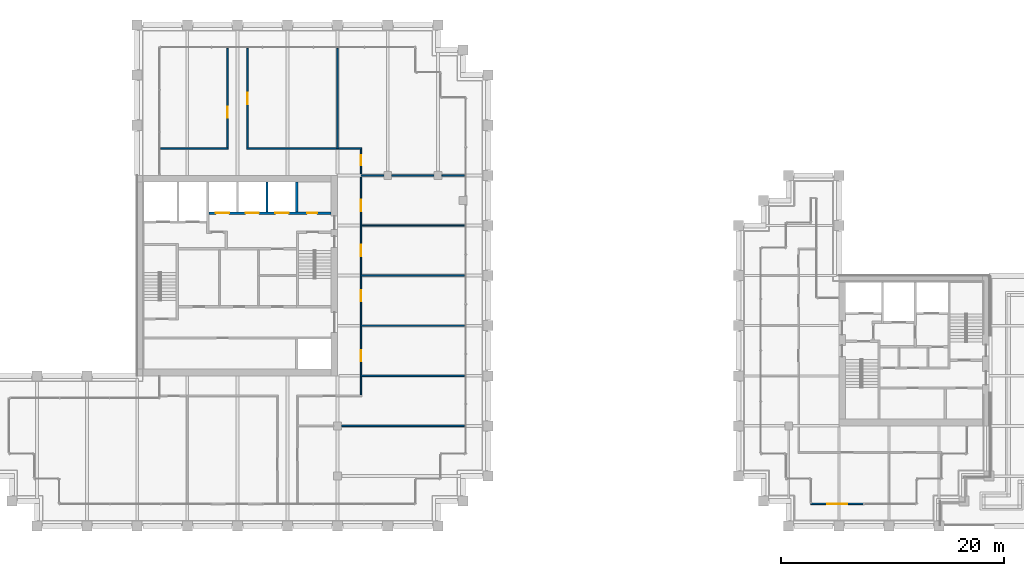
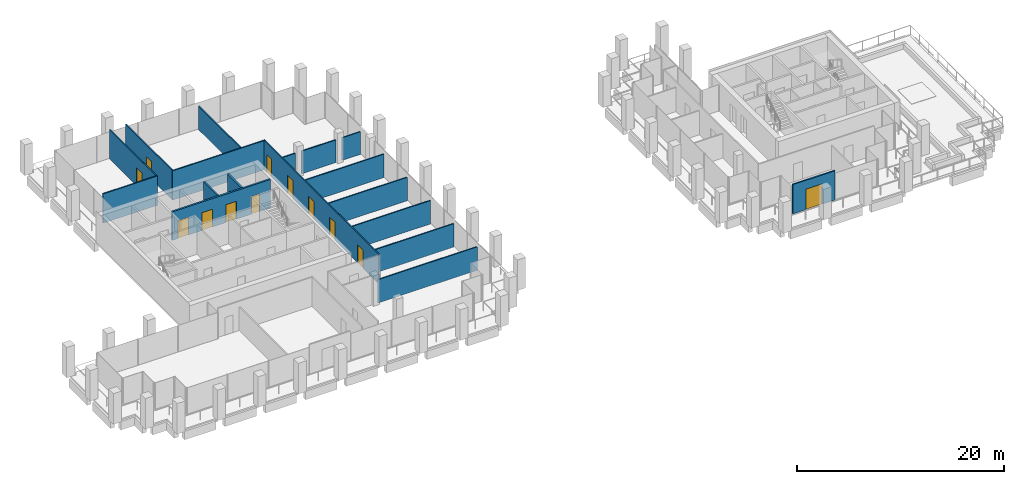
# One storey, part 39 of 44: 18 walls, 12 doors, 12 openings.
"""IFC4 building model written with IfcOpenShell, lengths in metres."""

from ifc_helpers import new_model, si_unit, direction, frame, frame_2d, origin, place, context, subcontext, project, spatial, rectangle, extrude, material, layer, layer_set, type_object, element, fill, save


model = new_model("IFC4")

# Units and contexts
model_context = context("Model", 3, precision=1e-05, world=origin(), true_north=direction((0.0, 1.0)))
body_context = subcontext(model_context, "Body", "Model", "MODEL_VIEW")
ifc_project = project(units=[si_unit("LENGTHUNIT", "METRE"), si_unit("AREAUNIT", "SQUARE_METRE"), si_unit("VOLUMEUNIT", "CUBIC_METRE"), si_unit("PLANEANGLEUNIT", "RADIAN"), si_unit("MASSUNIT", "GRAM", prefix="KILO")], contexts=[model_context])

# Site, building, storey
site_placement = place(None, origin())
site = spatial("IfcSite", under=ifc_project, at=site_placement, CompositionType="ELEMENT")
building_placement = place(site_placement, origin())
building = spatial("IfcBuilding", under=site, at=building_placement, Name="Altepetl Exchange Towers", CompositionType="ELEMENT")
storey_placement = place(building_placement, frame((0.0, 0.0, 143.800048828125)))
storey = spatial("IfcBuildingStorey", under=building, at=storey_placement, Name="L35", CompositionType="ELEMENT", Elevation=143.800048828125)

# Wall, opening, door
ifc_material_1 = material(Name="Aluminium composite cladding", Category="aluminium")
ifc_layer_1 = layer(ifc_material_1, 0.14990234375)
ifc_layer_set_1 = layer_set([ifc_layer_1], Name="Aluminium composite cladding")
wall_type_1 = type_object("IfcWallType", Name="Infill wall 150 aluminium panel", PredefinedType="SOLIDWALL", material=ifc_layer_set_1)
wall_1_placement = place(storey_placement, frame((101.0, 29.0, 0.0)))
wall_1 = element("IfcWall", 1, at=wall_1_placement, inside=storey, type_object=wall_type_1, Name="Loggia door bay wall", PredefinedType="SOLIDWALL", context=body_context, shape_type="SweptSolid", body=[
    extrude(rectangle(XDim=4.71240234375, YDim=0.14990234375, at=frame_2d((2.356201171875, 0.0))), origin(), (0.0, 0.0, 1.0), 3.449951171875),
])
opening_1_placement = place(wall_1_placement, frame((1.456298828125, 0.0, 0.0)))
opening_1 = element("IfcOpeningElement", 2, at=opening_1_placement, cuts=wall_1, Name="Opening L35.B90", PredefinedType="OPENING", context=body_context, shape_type="SweptSolid", body=[
    extrude(rectangle(XDim=1.800048828125, YDim=2.39990234375, at=frame_2d((0.89990234375, 1.199951171875))), frame((0.0, 0.0849609375, 0.0), z_axis=(0.0, -1.0, 0.0), x_axis=(1.0, 0.0, 0.0)), (0.0, 0.0, 1.0), 0.169921875),
])
ifc_material_2 = material(Name="Aluminium 6063-T6 and glass", Category="aluminium")
door_type_1 = type_object("IfcDoorType", Name="Glazed door pair 1800x2400", OperationType="DOUBLE_DOOR_DOUBLE_SWING", PredefinedType="NOTDEFINED", material=ifc_material_2)
door_1_placement = place(opening_1_placement, frame((1.800048828125, 0.0, 0.0), x_axis=(-1.0, 0.0, 0.0)))
door_1 = element("IfcDoor", 3, at=door_1_placement, inside=storey, type_object=door_type_1, Name="Loggia door", OperationType="DOUBLE_DOOR_DOUBLE_SWING", OverallHeight=2.39990234375, OverallWidth=1.800048828125, PredefinedType="NOTDEFINED", context=body_context, shape_type="SweptSolid", body=[
    extrude(rectangle(XDim=1.800048828125, YDim=2.39990234375, at=frame_2d((0.89990234375, 1.199951171875))), frame((0.0, 0.02490234375, 0.0), z_axis=(0.0, -1.0, 0.0), x_axis=(1.0, 0.0, 0.0)), (0.0, 0.0, 1.0), 0.050048828125),
])
fill(opening_1, door_1)

# Walls
ifc_material_3 = material(Name="Timber panels on aluminium track", Category="wood")
ifc_layer_2 = layer(ifc_material_3, 0.125)
ifc_layer_set_2 = layer_set([ifc_layer_2], Name="Timber panels on aluminium track")
wall_type_2 = type_object("IfcWallType", Name="Operable acoustic partition 125", PredefinedType="MOVABLE", material=ifc_layer_set_2)
for number, where, name in (
    (4, (60.60009765625, 45.0, 0.0), "wall:A:L35:P06"),
    (5, (60.60009765625, 49.5, 0.0), "wall:A:L35:P07"),
    (6, (60.60009765625, 54.0, 0.0), "wall:A:L35:P08"),
):
    element("IfcWall", number, at=place(storey_placement, frame(where)), inside=storey, type_object=wall_type_2, Name=name, PredefinedType="MOVABLE", context=body_context, shape_type="SweptSolid", body=[
        extrude(rectangle(XDim=9.2998046875, YDim=0.125, at=frame_2d((4.64990234375, 0.0))), origin(), (0.0, 0.0, 1.0), 2.765869140625),
    ])
ifc_material_4 = material(Name="Gypsum board on steel studs", Category="steel")
ifc_layer_3 = layer(ifc_material_4, 0.125)
ifc_layer_set_3 = layer_set([ifc_layer_3], Name="Gypsum board on steel studs")
wall_type_3 = type_object("IfcWallType", Name="Partition 125 gypsum board on steel studs", PredefinedType="PARTITIONING", material=ifc_layer_set_3)
wall_2_placement = place(storey_placement, frame((58.85009765625, 36.0, 0.0)))
element("IfcWall", 7, at=wall_2_placement, inside=storey, type_object=wall_type_3, Name="wall:A:L35:P02", PredefinedType="PARTITIONING", context=body_context, shape_type="SweptSolid", body=[
    extrude(rectangle(XDim=11.0498046875, YDim=0.125, at=frame_2d((5.52490234375, 0.0))), origin(), (0.0, 0.0, 1.0), 2.765869140625),
])
wall_3_placement = place(storey_placement, frame((60.60009765625, 40.5, 0.0)))
element("IfcWall", 8, at=wall_3_placement, inside=storey, type_object=wall_type_3, Name="wall:A:L35:P05", PredefinedType="PARTITIONING", context=body_context, shape_type="SweptSolid", body=[
    extrude(rectangle(XDim=9.2998046875, YDim=0.125, at=frame_2d((4.64990234375, 0.0))), origin(), (0.0, 0.0, 1.0), 2.765869140625),
])
wall_4_placement = place(storey_placement, frame((60.60009765625, 58.5, 0.0)))
element("IfcWall", 9, at=wall_4_placement, inside=storey, type_object=wall_type_3, Name="wall:A:L35:P09", PredefinedType="PARTITIONING", context=body_context, shape_type="SweptSolid", body=[
    extrude(rectangle(XDim=2.0498046875, YDim=0.125, at=frame_2d((1.02490234375, 0.0))), origin(), (0.0, 0.0, 1.0), 2.676025390625),
])
wall_5_placement = place(storey_placement, frame((63.35009765625, 58.5, 0.0)))
element("IfcWall", 10, at=wall_5_placement, inside=storey, type_object=wall_type_3, Name="wall:A:L35:P10", PredefinedType="PARTITIONING", context=body_context, shape_type="SweptSolid", body=[
    extrude(rectangle(XDim=3.7998046875, YDim=0.125, at=frame_2d((1.89990234375, 0.0))), origin(), (0.0, 0.0, 1.0), 2.676025390625),
])
wall_6_placement = place(storey_placement, frame((67.85009765625, 58.5, 0.0)))
element("IfcWall", 11, at=wall_6_placement, inside=storey, type_object=wall_type_3, Name="wall:A:L35:P11", PredefinedType="PARTITIONING", context=body_context, shape_type="SweptSolid", body=[
    extrude(rectangle(XDim=2.0498046875, YDim=0.125, at=frame_2d((1.02490234375, 0.0))), origin(), (0.0, 0.0, 1.0), 2.676025390625),
])
wall_7_placement = place(storey_placement, frame((42.60009765625, 60.89990234375, 0.0)))
element("IfcWall", 12, at=wall_7_placement, inside=storey, type_object=wall_type_3, Name="wall:A:L35:P12", PredefinedType="PARTITIONING", context=body_context, shape_type="SweptSolid", body=[
    extrude(rectangle(XDim=6.0625, YDim=0.125, at=frame_2d((3.03125, 0.0))), origin(), (0.0, 0.0, 1.0), 3.449951171875),
])
wall_8_placement = place(storey_placement, frame((50.33740234375, 60.89990234375, 0.0)))
element("IfcWall", 13, at=wall_8_placement, inside=storey, type_object=wall_type_3, Name="wall:A:L35:P13", PredefinedType="PARTITIONING", context=body_context, shape_type="SweptSolid", body=[
    extrude(rectangle(XDim=10.3251953125, YDim=0.125, at=frame_2d((5.16259765625, 0.0))), origin(), (0.0, 0.0, 1.0), 3.449951171875),
])

# Wall, opening, door
wall_9_placement = place(storey_placement, frame((48.60009765625, 60.96240234375, 0.0), z_axis=(0.0, 0.0, 1.0), x_axis=(0.0, 1.0, 0.0)))
wall_9 = element("IfcWall", 14, at=wall_9_placement, inside=storey, type_object=wall_type_3, Name="wall:A:L35:P15", PredefinedType="PARTITIONING", context=body_context, shape_type="SweptSolid", body=[
    extrude(rectangle(XDim=8.9375, YDim=0.125, at=frame_2d((4.46875, 0.0))), origin(), (0.0, 0.0, 1.0), 3.449951171875),
])
opening_2_placement = place(wall_9_placement, frame((2.694580078125, 0.0, 0.0)))
opening_2 = element("IfcOpeningElement", 15, at=opening_2_placement, cuts=wall_9, Name="Opening L35.A11", PredefinedType="OPENING", context=body_context, shape_type="SweptSolid", body=[
    extrude(rectangle(XDim=1.0, YDim=2.10009765625, at=frame_2d((0.5, 1.050048828125))), frame((0.0, 0.072509765625, 0.0), z_axis=(0.0, -1.0, 0.0), x_axis=(1.0, 0.0, 0.0)), (0.0, 0.0, 1.0), 0.14501953125),
])
ifc_material_5 = material(Name="Steel and timber fire door", Category="steel")
door_type_2 = type_object("IfcDoorType", Name="Fire door 1000 x 2100 single leaf", OperationType="SINGLE_SWING_LEFT", PredefinedType="DOOR", material=ifc_material_5)
door_2_placement = place(opening_2_placement, origin())
door_2 = element("IfcDoor", 16, at=door_2_placement, inside=storey, type_object=door_type_2, Name="door:A:L35:11", OperationType="SINGLE_SWING_RIGHT", OverallHeight=2.10009765625, OverallWidth=1.0, PredefinedType="DOOR", context=body_context, shape_type="SweptSolid", body=[
    extrude(rectangle(XDim=1.0, YDim=2.10009765625, at=frame_2d((0.5, 1.050048828125))), frame((0.0, 0.02490234375, 0.0), z_axis=(0.0, -1.0, 0.0), x_axis=(1.0, 0.0, 0.0)), (0.0, 0.0, 1.0), 0.050048828125),
])
fill(opening_2, door_2)

wall_10_placement = place(storey_placement, frame((50.39990234375, 60.96240234375, 0.0), z_axis=(0.0, 0.0, 1.0), x_axis=(0.0, 1.0, 0.0)))
wall_10 = element("IfcWall", 17, at=wall_10_placement, inside=storey, type_object=wall_type_3, Name="wall:A:L35:P16", PredefinedType="PARTITIONING", context=body_context, shape_type="SweptSolid", body=[
    extrude(rectangle(XDim=8.9375, YDim=0.125, at=frame_2d((4.46875, 0.0))), origin(), (0.0, 0.0, 1.0), 3.449951171875),
])
opening_3_placement = place(wall_10_placement, frame((3.9375, 0.0, 0.0)))
opening_3 = element("IfcOpeningElement", 18, at=opening_3_placement, cuts=wall_10, Name="Opening L35.A10", PredefinedType="OPENING", context=body_context, shape_type="SweptSolid", body=[
    extrude(rectangle(XDim=1.0, YDim=2.10009765625, at=frame_2d((0.5, 1.050048828125))), frame((0.0, 0.072509765625, 0.0), z_axis=(0.0, -1.0, 0.0), x_axis=(1.0, 0.0, 0.0)), (0.0, 0.0, 1.0), 0.14501953125),
])
door_3_placement = place(opening_3_placement, frame((1.0, 0.0, 0.0), x_axis=(-1.0, 0.0, 0.0)))
door_3 = element("IfcDoor", 19, at=door_3_placement, inside=storey, type_object=door_type_2, Name="door:A:L35:10", OperationType="SINGLE_SWING_RIGHT", OverallHeight=2.10009765625, OverallWidth=1.0, PredefinedType="DOOR", context=body_context, shape_type="SweptSolid", body=[
    extrude(rectangle(XDim=1.0, YDim=2.10009765625, at=frame_2d((0.5, 1.050048828125))), frame((0.0, 0.02490234375, 0.0), z_axis=(0.0, -1.0, 0.0), x_axis=(1.0, 0.0, 0.0)), (0.0, 0.0, 1.0), 0.050048828125),
])
fill(opening_3, door_3)

# Wall
wall_11_placement = place(storey_placement, frame((58.5, 60.89990234375, 0.0), z_axis=(0.0, 0.0, 1.0), x_axis=(0.0, 1.0, 0.0)))
element("IfcWall", 20, at=wall_11_placement, inside=storey, type_object=wall_type_3, Name="wall:A:L35:P19", PredefinedType="PARTITIONING", context=body_context, shape_type="SweptSolid", body=[
    extrude(rectangle(XDim=9.0, YDim=0.125, at=frame_2d((4.5, 0.0))), origin(), (0.0, 0.0, 1.0), 2.765869140625),
])

# Wall, openings, doors
wall_12_placement = place(storey_placement, frame((60.60009765625, 38.762451171875, 0.0), z_axis=(0.0, 0.0, 1.0), x_axis=(0.0, 1.0, 0.0)))
wall_12 = element("IfcWall", 21, at=wall_12_placement, inside=storey, type_object=wall_type_3, Name="wall:A:L35:P20", PredefinedType="PARTITIONING", context=body_context, shape_type="SweptSolid", body=[
    extrude(rectangle(XDim=22.074951171875, YDim=0.125, at=frame_2d((11.03759765625, 0.0))), origin(), (0.0, 0.0, 1.0), 3.449951171875),
])
opening_4_placement = place(wall_12_placement, frame((3.032470703125, 0.0, 0.0)))
opening_4 = element("IfcOpeningElement", 22, at=opening_4_placement, cuts=wall_12, Name="Opening L35.A05", PredefinedType="OPENING", context=body_context, shape_type="SweptSolid", body=[
    extrude(rectangle(XDim=1.0, YDim=2.10009765625, at=frame_2d((0.5, 1.050048828125))), frame((0.0, 0.072509765625, 0.0), z_axis=(0.0, -1.0, 0.0), x_axis=(1.0, 0.0, 0.0)), (0.0, 0.0, 1.0), 0.14501953125),
])
opening_5_placement = place(wall_12_placement, frame((8.4423828125, 0.0, 0.0)))
opening_5 = element("IfcOpeningElement", 23, at=opening_5_placement, cuts=wall_12, Name="Opening L35.A06", PredefinedType="OPENING", context=body_context, shape_type="SweptSolid", body=[
    extrude(rectangle(XDim=1.0, YDim=2.10009765625, at=frame_2d((0.5, 1.050048828125))), frame((0.0, 0.072509765625, 0.0), z_axis=(0.0, -1.0, 0.0), x_axis=(1.0, 0.0, 0.0)), (0.0, 0.0, 1.0), 0.14501953125),
])
opening_6_placement = place(wall_12_placement, frame((12.487548828125, 0.0, 0.0)))
opening_6 = element("IfcOpeningElement", 24, at=opening_6_placement, cuts=wall_12, Name="Opening L35.A07", PredefinedType="OPENING", context=body_context, shape_type="SweptSolid", body=[
    extrude(rectangle(XDim=1.0, YDim=2.10009765625, at=frame_2d((0.5, 1.050048828125))), frame((0.0, 0.072509765625, 0.0), z_axis=(0.0, -1.0, 0.0), x_axis=(1.0, 0.0, 0.0)), (0.0, 0.0, 1.0), 0.14501953125),
])
opening_7_placement = place(wall_12_placement, frame((16.532470703125, 0.0, 0.0)))
opening_7 = element("IfcOpeningElement", 25, at=opening_7_placement, cuts=wall_12, Name="Opening L35.A08", PredefinedType="OPENING", context=body_context, shape_type="SweptSolid", body=[
    extrude(rectangle(XDim=1.0, YDim=2.10009765625, at=frame_2d((0.5, 1.050048828125))), frame((0.0, 0.072509765625, 0.0), z_axis=(0.0, -1.0, 0.0), x_axis=(1.0, 0.0, 0.0)), (0.0, 0.0, 1.0), 0.14501953125),
])
opening_8_placement = place(wall_12_placement, frame((20.66259765625, 0.0, 0.0)))
opening_8 = element("IfcOpeningElement", 26, at=opening_8_placement, cuts=wall_12, Name="Opening L35.A09", PredefinedType="OPENING", context=body_context, shape_type="SweptSolid", body=[
    extrude(rectangle(XDim=0.89990234375, YDim=2.10009765625, at=frame_2d((0.449951171875, 1.050048828125))), frame((0.0, 0.072509765625, 0.0), z_axis=(0.0, -1.0, 0.0), x_axis=(1.0, 0.0, 0.0)), (0.0, 0.0, 1.0), 0.14501953125),
])
door_4_placement = place(opening_4_placement, frame((1.0, 0.0, 0.0), x_axis=(-1.0, 0.0, 0.0)))
door_4 = element("IfcDoor", 27, at=door_4_placement, inside=storey, type_object=door_type_2, Name="door:A:L35:05", OperationType="SINGLE_SWING_LEFT", OverallHeight=2.10009765625, OverallWidth=1.0, PredefinedType="DOOR", context=body_context, shape_type="SweptSolid", body=[
    extrude(rectangle(XDim=1.0, YDim=2.10009765625, at=frame_2d((0.5, 1.050048828125))), frame((0.0, 0.02490234375, 0.0), z_axis=(0.0, -1.0, 0.0), x_axis=(1.0, 0.0, 0.0)), (0.0, 0.0, 1.0), 0.050048828125),
])
fill(opening_4, door_4)
door_5_placement = place(opening_5_placement, frame((1.0, 0.0, 0.0), x_axis=(-1.0, 0.0, 0.0)))
door_5 = element("IfcDoor", 28, at=door_5_placement, inside=storey, type_object=door_type_2, Name="door:A:L35:06", OperationType="SINGLE_SWING_RIGHT", OverallHeight=2.10009765625, OverallWidth=1.0, PredefinedType="DOOR", context=body_context, shape_type="SweptSolid", body=[
    extrude(rectangle(XDim=1.0, YDim=2.10009765625, at=frame_2d((0.5, 1.050048828125))), frame((0.0, 0.02490234375, 0.0), z_axis=(0.0, -1.0, 0.0), x_axis=(1.0, 0.0, 0.0)), (0.0, 0.0, 1.0), 0.050048828125),
])
fill(opening_5, door_5)
door_6_placement = place(opening_6_placement, frame((1.0, 0.0, 0.0), x_axis=(-1.0, 0.0, 0.0)))
door_6 = element("IfcDoor", 29, at=door_6_placement, inside=storey, type_object=door_type_2, Name="door:A:L35:07", OperationType="SINGLE_SWING_LEFT", OverallHeight=2.10009765625, OverallWidth=1.0, PredefinedType="DOOR", context=body_context, shape_type="SweptSolid", body=[
    extrude(rectangle(XDim=1.0, YDim=2.10009765625, at=frame_2d((0.5, 1.050048828125))), frame((0.0, 0.02490234375, 0.0), z_axis=(0.0, -1.0, 0.0), x_axis=(1.0, 0.0, 0.0)), (0.0, 0.0, 1.0), 0.050048828125),
])
fill(opening_6, door_6)
door_7_placement = place(opening_7_placement, frame((1.0, 0.0, 0.0), x_axis=(-1.0, 0.0, 0.0)))
door_7 = element("IfcDoor", 30, at=door_7_placement, inside=storey, type_object=door_type_2, Name="door:A:L35:08", OperationType="SINGLE_SWING_RIGHT", OverallHeight=2.10009765625, OverallWidth=1.0, PredefinedType="DOOR", context=body_context, shape_type="SweptSolid", body=[
    extrude(rectangle(XDim=1.0, YDim=2.10009765625, at=frame_2d((0.5, 1.050048828125))), frame((0.0, 0.02490234375, 0.0), z_axis=(0.0, -1.0, 0.0), x_axis=(1.0, 0.0, 0.0)), (0.0, 0.0, 1.0), 0.050048828125),
])
fill(opening_7, door_7)
door_type_3 = type_object("IfcDoorType", Name="Fire door 900 x 2100 single leaf", OperationType="SINGLE_SWING_LEFT", PredefinedType="DOOR", material=ifc_material_5)
door_8_placement = place(opening_8_placement, frame((0.89990234375, 0.0, 0.0), x_axis=(-1.0, 0.0, 0.0)))
door_8 = element("IfcDoor", 31, at=door_8_placement, inside=storey, type_object=door_type_3, Name="door:A:L35:09", OperationType="SINGLE_SWING_LEFT", OverallHeight=2.10009765625, OverallWidth=0.89990234375, PredefinedType="DOOR", context=body_context, shape_type="SweptSolid", body=[
    extrude(rectangle(XDim=0.89990234375, YDim=2.10009765625, at=frame_2d((0.449951171875, 1.050048828125))), frame((0.0, 0.02490234375, 0.0), z_axis=(0.0, -1.0, 0.0), x_axis=(1.0, 0.0, 0.0)), (0.0, 0.0, 1.0), 0.050048828125),
])
fill(opening_8, door_8)

# Walls
ifc_material_6 = material(Name="Concrete C40/50", Category="concrete")
ifc_layer_4 = layer(ifc_material_6, 0.199951171875)
ifc_layer_set_4 = layer_set([ifc_layer_4], Name="Concrete C40/50")
wall_type_4 = type_object("IfcWallType", Name="Shaft wall 200 reinforced concrete", PredefinedType="SHEAR", material=ifc_layer_set_4)
for number, where, z_axis, x_axis, name in (
    (32, (52.166748046875, 57.89990234375, 0.0), (0.0, 0.0, 1.0), (0.0, -1.0, 0.0), "wall:A:L35:K-divN4"),
    (33, (54.833251953125, 57.89990234375, 0.0), (0.0, 0.0, 1.0), (0.0, -1.0, 0.0), "wall:A:L35:K-divN5"),
):
    element("IfcWall", number, at=place(storey_placement, frame(where, z_axis=z_axis, x_axis=x_axis)), inside=storey, type_object=wall_type_4, Name=name, PredefinedType="SHEAR", context=body_context, shape_type="SweptSolid", body=[
        extrude(rectangle(XDim=2.699951171875, YDim=0.199951171875, at=frame_2d((1.35009765625, 0.0))), origin(), (0.0, 0.0, 1.0), 3.349853515625),
    ])

# Wall, openings, doors
wall_13_placement = place(storey_placement, frame((46.933349609375, 55.10009765625, 0.0)))
wall_13 = element("IfcWall", 34, at=wall_13_placement, inside=storey, type_object=wall_type_4, Name="wall:A:L35:K-frontNb", PredefinedType="SHEAR", context=body_context, shape_type="SweptSolid", body=[
    extrude(rectangle(XDim=10.966552734375, YDim=0.199951171875, at=frame_2d((5.4833984375, 0.0))), origin(), (0.0, 0.0, 1.0), 3.349853515625),
])
opening_9_placement = place(wall_13_placement, frame((8.83349609375, 0.0, 0.0)))
opening_9 = element("IfcOpeningElement", 35, at=opening_9_placement, cuts=wall_13, Name="Opening L35.A66", PredefinedType="OPENING", context=body_context, shape_type="SweptSolid", body=[
    extrude(rectangle(XDim=0.89990234375, YDim=2.10009765625, at=frame_2d((0.449951171875, 1.050048828125))), frame((0.0, 0.10986328125, 0.0), z_axis=(0.0, -1.0, 0.0), x_axis=(1.0, 0.0, 0.0)), (0.0, 0.0, 1.0), 0.219970703125),
])
opening_10_placement = place(wall_13_placement, frame((0.63330078125, 0.0, 0.0)))
opening_10 = element("IfcOpeningElement", 36, at=opening_10_placement, cuts=wall_13, Name="Opening L35.A74", PredefinedType="OPENING", context=body_context, shape_type="SweptSolid", body=[
    extrude(rectangle(XDim=1.199951171875, YDim=2.10009765625, at=frame_2d((0.60009765625, 1.050048828125))), frame((0.0, 0.10986328125, 0.0), z_axis=(0.0, -1.0, 0.0), x_axis=(1.0, 0.0, 0.0)), (0.0, 0.0, 1.0), 0.219970703125),
])
opening_11_placement = place(wall_13_placement, frame((3.300048828125, 0.0, 0.0)))
opening_11 = element("IfcOpeningElement", 37, at=opening_11_placement, cuts=wall_13, Name="Opening L35.A75", PredefinedType="OPENING", context=body_context, shape_type="SweptSolid", body=[
    extrude(rectangle(XDim=1.199951171875, YDim=2.10009765625, at=frame_2d((0.60009765625, 1.050048828125))), frame((0.0, 0.10986328125, 0.0), z_axis=(0.0, -1.0, 0.0), x_axis=(1.0, 0.0, 0.0)), (0.0, 0.0, 1.0), 0.219970703125),
])
opening_12_placement = place(wall_13_placement, frame((5.966796875, 0.0, 0.0)))
opening_12 = element("IfcOpeningElement", 38, at=opening_12_placement, cuts=wall_13, Name="Opening L35.A76", PredefinedType="OPENING", context=body_context, shape_type="SweptSolid", body=[
    extrude(rectangle(XDim=1.199951171875, YDim=2.10009765625, at=frame_2d((0.60009765625, 1.050048828125))), frame((0.0, 0.10986328125, 0.0), z_axis=(0.0, -1.0, 0.0), x_axis=(1.0, 0.0, 0.0)), (0.0, 0.0, 1.0), 0.219970703125),
])
door_type_4 = type_object("IfcDoorType", Name="Fire door 900 x 2100 service room", OperationType="SINGLE_SWING_LEFT", PredefinedType="DOOR", material=ifc_material_5)
door_9_placement = place(opening_9_placement, origin())
door_9 = element("IfcDoor", 39, at=door_9_placement, inside=storey, type_object=door_type_4, Name="door:A:L35:K-driser", OperationType="SINGLE_SWING_RIGHT", OverallHeight=2.10009765625, OverallWidth=0.89990234375, PredefinedType="DOOR", context=body_context, shape_type="SweptSolid", body=[
    extrude(rectangle(XDim=0.89990234375, YDim=2.10009765625, at=frame_2d((0.449951171875, 1.050048828125))), frame((0.0, 0.02490234375, 0.0), z_axis=(0.0, -1.0, 0.0), x_axis=(1.0, 0.0, 0.0)), (0.0, 0.0, 1.0), 0.050048828125),
])
fill(opening_9, door_9)
ifc_material_7 = material(Name="Stainless steel", Category="steel")
door_type_5 = type_object("IfcDoorType", Name="Lift landing door 1200 x 2100", OperationType="SLIDING_TO_LEFT", PredefinedType="DOOR", material=ifc_material_7)
door_10_placement = place(opening_10_placement, origin())
door_10 = element("IfcDoor", 40, at=door_10_placement, inside=storey, type_object=door_type_5, Name="Landing door P5", OperationType="SLIDING_TO_LEFT", OverallHeight=2.10009765625, OverallWidth=1.199951171875, PredefinedType="DOOR", context=body_context, shape_type="SweptSolid", body=[
    extrude(rectangle(XDim=1.199951171875, YDim=2.10009765625, at=frame_2d((0.60009765625, 1.050048828125))), frame((0.0, 0.02490234375, 0.0), z_axis=(0.0, -1.0, 0.0), x_axis=(1.0, 0.0, 0.0)), (0.0, 0.0, 1.0), 0.050048828125),
])
fill(opening_10, door_10)
door_11_placement = place(opening_11_placement, origin())
door_11 = element("IfcDoor", 41, at=door_11_placement, inside=storey, type_object=door_type_5, Name="Landing door P6", OperationType="SLIDING_TO_LEFT", OverallHeight=2.10009765625, OverallWidth=1.199951171875, PredefinedType="DOOR", context=body_context, shape_type="SweptSolid", body=[
    extrude(rectangle(XDim=1.199951171875, YDim=2.10009765625, at=frame_2d((0.60009765625, 1.050048828125))), frame((0.0, 0.02490234375, 0.0), z_axis=(0.0, -1.0, 0.0), x_axis=(1.0, 0.0, 0.0)), (0.0, 0.0, 1.0), 0.050048828125),
])
fill(opening_11, door_11)
door_12_placement = place(opening_12_placement, origin())
door_12 = element("IfcDoor", 42, at=door_12_placement, inside=storey, type_object=door_type_5, Name="Landing door P7", OperationType="SLIDING_TO_LEFT", OverallHeight=2.10009765625, OverallWidth=1.199951171875, PredefinedType="DOOR", context=body_context, shape_type="SweptSolid", body=[
    extrude(rectangle(XDim=1.199951171875, YDim=2.10009765625, at=frame_2d((0.60009765625, 1.050048828125))), frame((0.0, 0.02490234375, 0.0), z_axis=(0.0, -1.0, 0.0), x_axis=(1.0, 0.0, 0.0)), (0.0, 0.0, 1.0), 0.050048828125),
])
fill(opening_12, door_12)

save(model, "model.ifc")
